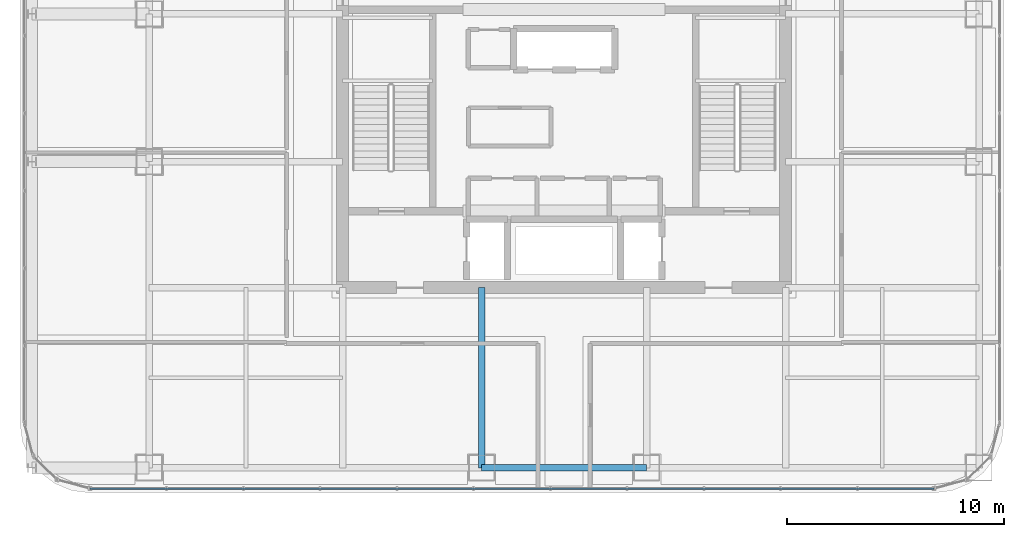
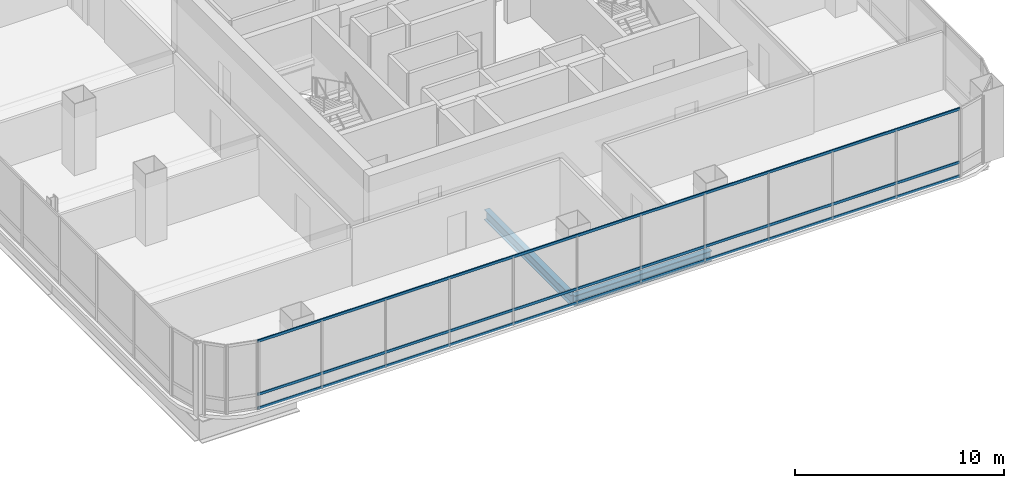
# One storey, part 8 of 41: 3 members, 2 beams, 1 element without a shape of its own.
"""IFC4 building model written with IfcOpenShell, lengths in metres."""

from ifc_helpers import new_model, si_unit, direction, frame, origin, origin_2d, place, context, subcontext, project, spatial, hollow_rectangle, i_section, extrude, material, material_profile, profile_set, type_object, element, aggregate, save


model = new_model("IFC4")

# Units and contexts
model_context = context("Model", 3, precision=1e-05, world=origin(), true_north=direction((0.0, 1.0)))
body_context = subcontext(model_context, "Body", "Model", "MODEL_VIEW")
ifc_project = project(units=[si_unit("LENGTHUNIT", "METRE"), si_unit("AREAUNIT", "SQUARE_METRE"), si_unit("VOLUMEUNIT", "CUBIC_METRE"), si_unit("PLANEANGLEUNIT", "RADIAN"), si_unit("MASSUNIT", "GRAM", prefix="KILO")], contexts=[model_context])

# Site, building, storey
site_placement = place(None, origin())
site = spatial("IfcSite", under=ifc_project, at=site_placement, CompositionType="ELEMENT")
building_placement = place(site_placement, origin())
building = spatial("IfcBuilding", under=site, at=building_placement, Name="Punatoya Terracotta Tower", CompositionType="ELEMENT")
storey_placement = place(building_placement, frame((0.0, 0.0, 292.199951171875)))
storey = spatial("IfcBuildingStorey", under=building, at=storey_placement, Name="L69", CompositionType="ELEMENT", Elevation=292.199951171875)

# Beams
ifc_material_1 = material(Name="Steel S355", Category="steel")
ifc_material_profile_1 = material_profile(ifc_material_1, i_section(OverallWidth=0.300048828125, OverallDepth=0.60009765625, WebThickness=0.015380859375, FlangeThickness=0.030029296875, FilletRadius=0.01806640625, at=origin_2d()))
ifc_profile_set_1 = profile_set([ifc_material_profile_1], Name="Steel S355")
beam_type = type_object("IfcBeamType", Name="BM-PRI-600", PredefinedType="BEAM", material=ifc_profile_set_1)
beam_1_placement = place(storey_placement, frame((-3.800048828125, -17.5, -0.5), z_axis=(1.0, 0.0, 0.0), x_axis=(0.0, 1.0, 0.0)))
element("IfcBeam", 1, at=beam_1_placement, inside=storey, type_object=beam_type, Name="BM-L69-RG-S2", PredefinedType="BEAM", context=body_context, shape_type="SweptSolid", body=[
    extrude(i_section(OverallWidth=0.300048828125, OverallDepth=0.60009765625, WebThickness=0.015380859375, FlangeThickness=0.030029296875, FilletRadius=0.01806640625, at=origin_2d()), origin(), (0.0, 0.0, 1.0), 7.60009765625),
])
beam_2_placement = place(storey_placement, frame((-3.800048828125, -17.5, -0.5), z_axis=(0.0, 1.0, 0.0), x_axis=(-1.0, 0.0, 0.0)))
element("IfcBeam", 2, at=beam_2_placement, inside=storey, type_object=beam_type, Name="BM-L69-PR-S2", PredefinedType="BEAM", context=body_context, shape_type="SweptSolid", body=[
    extrude(i_section(OverallWidth=0.300048828125, OverallDepth=0.60009765625, WebThickness=0.015380859375, FlangeThickness=0.030029296875, FilletRadius=0.01806640625, at=origin_2d()), origin(), (0.0, 0.0, 1.0), 8.300048828125),
])

# Curtain wall, members
ifc_material_2 = material(Name="Aluminium 6063-T6 + Double Low-E Glass", Category="aluminium")
curtain_wall_type = type_object("IfcCurtainWallType", Name="CW-M3", PredefinedType="NOTDEFINED", material=ifc_material_2)
curtain_wall_placement = place(storey_placement, origin())
curtain_wall = element("IfcCurtainWall", 3, at=curtain_wall_placement, inside=storey, type_object=curtain_wall_type, Name="L69 Curtain Wall CW-L69-S01-1", PredefinedType="NOTDEFINED")
ifc_material_3 = material(Name="Aluminium 6063-T6", Category="aluminium")
ifc_material_profile_2 = material_profile(ifc_material_3, hollow_rectangle(XDim=0.068115234375, YDim=0.14990234375, WallThickness=0.00390625, at=origin_2d()))
ifc_profile_set_2 = profile_set([ifc_material_profile_2], Name="Aluminium 6063-T6")
member_type = type_object("IfcMemberType", Name="CW-TRN-TYP", PredefinedType="USERDEFINED", material=ifc_profile_set_2)
member_1_placement = place(storey_placement, frame((-21.8369140625, -18.449951171875, 0.0400390625), z_axis=(1.0, 0.0, 0.0), x_axis=(0.0, 1.0, 0.0)))
member_1 = element("IfcMember", 4, at=member_1_placement, type_object=member_type, Name="CW-L69-S01-1 Transom 1", ObjectType="TRANSOM", PredefinedType="USERDEFINED", context=body_context, shape_type="SweptSolid", body=[
    extrude(hollow_rectangle(XDim=0.068115234375, YDim=0.14990234375, WallThickness=0.00390625, at=origin_2d()), origin(), (0.0, 0.0, 1.0), 38.873779296875),
])
member_2_placement = place(storey_placement, frame((-21.8369140625, -18.449951171875, 0.85009765625), z_axis=(1.0, 0.0, 0.0), x_axis=(0.0, 1.0, 0.0)))
member_2 = element("IfcMember", 5, at=member_2_placement, type_object=member_type, Name="CW-L69-S01-1 Transom 2", ObjectType="TRANSOM", PredefinedType="USERDEFINED", context=body_context, shape_type="SweptSolid", body=[
    extrude(hollow_rectangle(XDim=0.068115234375, YDim=0.14990234375, WallThickness=0.00390625, at=origin_2d()), origin(), (0.0, 0.0, 1.0), 38.873779296875),
])
member_3_placement = place(storey_placement, frame((-21.8369140625, -18.449951171875, 3.9599609375), z_axis=(1.0, 0.0, 0.0), x_axis=(0.0, 1.0, 0.0)))
member_3 = element("IfcMember", 6, at=member_3_placement, type_object=member_type, Name="CW-L69-S01-1 Transom 3", ObjectType="TRANSOM", PredefinedType="USERDEFINED", context=body_context, shape_type="SweptSolid", body=[
    extrude(hollow_rectangle(XDim=0.068115234375, YDim=0.14990234375, WallThickness=0.00390625, at=origin_2d()), origin(), (0.0, 0.0, 1.0), 38.873779296875),
])
aggregate(curtain_wall, [member_1, member_2, member_3])

save(model, "model.ifc")
